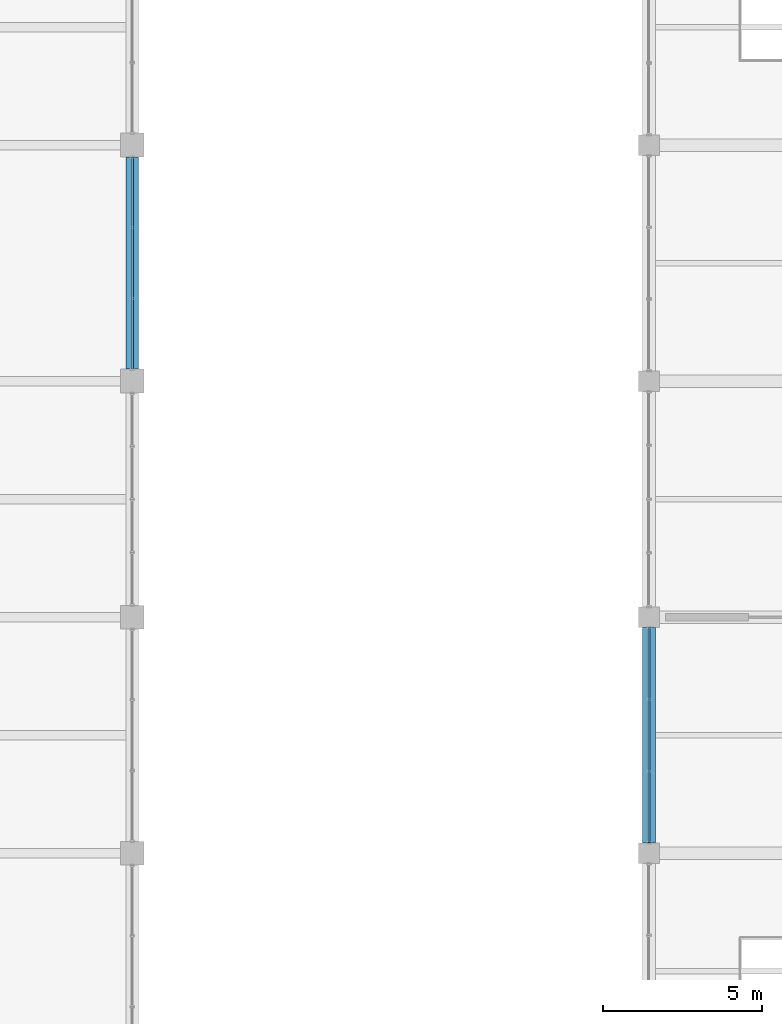
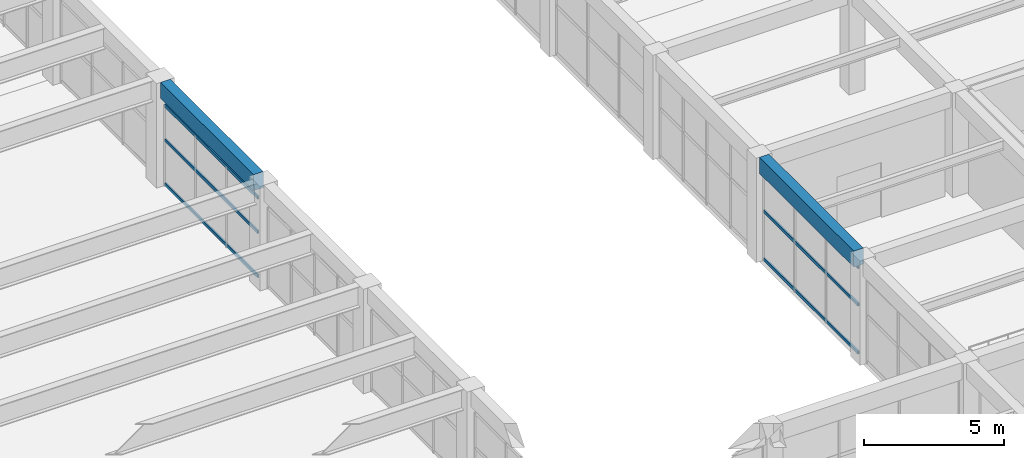
# One storey, part 61 of 161: 6 members, 2 beams, 2 elements without a shape of their own.
"""IFC4 building model written with IfcOpenShell, lengths in metres."""

from ifc_helpers import new_model, si_unit, direction, frame, origin, origin_2d, place, context, subcontext, project, spatial, rectangle, hollow_rectangle, extrude, material, material_profile, profile_set, type_object, element, aggregate, save


model = new_model("IFC4")

# Units and contexts
model_context = context("Model", 3, precision=1e-05, world=origin(), true_north=direction((0.0, 1.0)))
body_context = subcontext(model_context, "Body", "Model", "MODEL_VIEW")
ifc_project = project(units=[si_unit("LENGTHUNIT", "METRE"), si_unit("AREAUNIT", "SQUARE_METRE"), si_unit("VOLUMEUNIT", "CUBIC_METRE"), si_unit("PLANEANGLEUNIT", "RADIAN"), si_unit("MASSUNIT", "GRAM", prefix="KILO")], contexts=[model_context])

# Site, building, storey
site_placement = place(None, origin())
site = spatial("IfcSite", under=ifc_project, at=site_placement, CompositionType="ELEMENT")
building_placement = place(site_placement, origin())
building = spatial("IfcBuilding", under=site, at=building_placement, Name="Cimatlan Art Gallery", CompositionType="ELEMENT")
storey_placement = place(building_placement, frame((0.0, 0.0, 5.39990234375)))
storey = spatial("IfcBuildingStorey", under=building, at=storey_placement, Name="L01", CompositionType="ELEMENT", Elevation=5.39990234375)

# Beams
ifc_material_1 = material(Name="Concrete C40/50", Category="concrete")
ifc_material_profile_1 = material_profile(ifc_material_1, rectangle(XDim=0.39990234375, YDim=0.699951171875, at=origin_2d()), Name="RC400X700")
ifc_profile_set_1 = profile_set([ifc_material_profile_1], Name="Concrete C40/50")
beam_type = type_object("IfcBeamType", Name="BM-RC-400X700", PredefinedType="BEAM", material=ifc_profile_set_1)
beam_1_placement = place(storey_placement, frame((99.199951171875, 61.27490234375, 4.210205078125), z_axis=(0.0, 1.0, 0.0), x_axis=(-1.0, 0.0, 0.0)))
element("IfcBeam", 1, at=beam_1_placement, inside=storey, type_object=beam_type, Name="BM-Y-L01-12-08", PredefinedType="BEAM", context=body_context, shape_type="SweptSolid", body=[
    extrude(rectangle(XDim=0.39990234375, YDim=0.699951171875, at=origin_2d()), origin(), (0.0, 0.0, 1.0), 6.650146484375),
])
beam_2_placement = place(storey_placement, frame((115.39990234375, 46.425048828125, 4.210205078125), z_axis=(0.0, 1.0, 0.0), x_axis=(-1.0, 0.0, 0.0)))
element("IfcBeam", 2, at=beam_2_placement, inside=storey, type_object=beam_type, Name="BM-Y-L01-14-06", PredefinedType="BEAM", context=body_context, shape_type="SweptSolid", body=[
    extrude(rectangle(XDim=0.39990234375, YDim=0.699951171875, at=origin_2d()), origin(), (0.0, 0.0, 1.0), 6.75),
])

# Curtain wall, members
ifc_material_2 = material(Name="Anodised bronze unitised curtain wall")
curtain_wall_type_1 = type_object("IfcCurtainWallType", Name="CW-V-06642X03547-B3", PredefinedType="NOTDEFINED", material=ifc_material_2)
curtain_wall_1_placement = place(storey_placement, origin())
curtain_wall_1 = element("IfcCurtainWall", 3, at=curtain_wall_1_placement, inside=storey, type_object=curtain_wall_type_1, Name="CW-L01-11-08-E", PredefinedType="NOTDEFINED")
ifc_material_3 = material(Name="Anodised bronze aluminium 6063-T6", Category="aluminium")
ifc_material_profile_2 = material_profile(ifc_material_3, hollow_rectangle(XDim=0.06494140625, YDim=0.139892578125, WallThickness=0.00390625, at=origin_2d()), Name="ALU65X140X4")
ifc_profile_set_2 = profile_set([ifc_material_profile_2], Name="Anodised bronze aluminium 6063-T6")
member_type = type_object("IfcMemberType", Name="CW-TRN-140", PredefinedType="USERDEFINED", material=ifc_profile_set_2)
member_1_placement = place(storey_placement, frame((99.199951171875, 67.9208984375, 0.06005859375), z_axis=(0.0, -1.0, 0.0), x_axis=(1.0, 0.0, 0.0)))
member_1 = element("IfcMember", 4, at=member_1_placement, type_object=member_type, Name="CW-L01-11-08-E-T1", ObjectType="TRANSOM", PredefinedType="USERDEFINED", context=body_context, shape_type="SweptSolid", body=[
    extrude(hollow_rectangle(XDim=0.06494140625, YDim=0.139892578125, WallThickness=0.00390625, at=origin_2d()), origin(), (0.0, 0.0, 1.0), 6.641845703125),
])
member_2_placement = place(storey_placement, frame((99.199951171875, 67.9208984375, 1.986328125), z_axis=(0.0, -1.0, 0.0), x_axis=(1.0, 0.0, 0.0)))
member_2 = element("IfcMember", 5, at=member_2_placement, type_object=member_type, Name="CW-L01-11-08-E-T2", ObjectType="TRANSOM", PredefinedType="USERDEFINED", context=body_context, shape_type="SweptSolid", body=[
    extrude(hollow_rectangle(XDim=0.06494140625, YDim=0.139892578125, WallThickness=0.00390625, at=origin_2d()), origin(), (0.0, 0.0, 1.0), 6.641845703125),
])
member_3_placement = place(storey_placement, frame((99.199951171875, 67.9208984375, 3.487060546875), z_axis=(0.0, -1.0, 0.0), x_axis=(1.0, 0.0, 0.0)))
member_3 = element("IfcMember", 6, at=member_3_placement, type_object=member_type, Name="CW-L01-11-08-E-T3", ObjectType="TRANSOM", PredefinedType="USERDEFINED", context=body_context, shape_type="SweptSolid", body=[
    extrude(hollow_rectangle(XDim=0.06494140625, YDim=0.139892578125, WallThickness=0.00390625, at=origin_2d()), origin(), (0.0, 0.0, 1.0), 6.641845703125),
])
aggregate(curtain_wall_1, [member_1, member_2, member_3])

curtain_wall_type_2 = type_object("IfcCurtainWallType", Name="CW-V-06742X03845-B3", PredefinedType="NOTDEFINED", material=ifc_material_2)
curtain_wall_2_placement = place(storey_placement, origin())
curtain_wall_2 = element("IfcCurtainWall", 7, at=curtain_wall_2_placement, inside=storey, type_object=curtain_wall_type_2, Name="CW-L01-14-06-W", PredefinedType="NOTDEFINED")
member_4_placement = place(storey_placement, frame((115.39990234375, 46.428955078125, 0.06005859375), z_axis=(0.0, 1.0, 0.0), x_axis=(-1.0, 0.0, 0.0)))
member_4 = element("IfcMember", 8, at=member_4_placement, type_object=member_type, Name="CW-L01-14-06-W-T1", ObjectType="TRANSOM", PredefinedType="USERDEFINED", context=body_context, shape_type="SweptSolid", body=[
    extrude(hollow_rectangle(XDim=0.06494140625, YDim=0.139892578125, WallThickness=0.00390625, at=origin_2d()), origin(), (0.0, 0.0, 1.0), 6.741943359375),
])
member_5_placement = place(storey_placement, frame((115.39990234375, 46.428955078125, 2.1533203125), z_axis=(0.0, 1.0, 0.0), x_axis=(-1.0, 0.0, 0.0)))
member_5 = element("IfcMember", 9, at=member_5_placement, type_object=member_type, Name="CW-L01-14-06-W-T2", ObjectType="TRANSOM", PredefinedType="USERDEFINED", context=body_context, shape_type="SweptSolid", body=[
    extrude(hollow_rectangle(XDim=0.06494140625, YDim=0.139892578125, WallThickness=0.00390625, at=origin_2d()), origin(), (0.0, 0.0, 1.0), 6.741943359375),
])
member_6_placement = place(storey_placement, frame((115.39990234375, 46.428955078125, 3.78515625), z_axis=(0.0, 1.0, 0.0), x_axis=(-1.0, 0.0, 0.0)))
member_6 = element("IfcMember", 10, at=member_6_placement, type_object=member_type, Name="CW-L01-14-06-W-T3", ObjectType="TRANSOM", PredefinedType="USERDEFINED", context=body_context, shape_type="SweptSolid", body=[
    extrude(hollow_rectangle(XDim=0.06494140625, YDim=0.139892578125, WallThickness=0.00390625, at=origin_2d()), origin(), (0.0, 0.0, 1.0), 6.741943359375),
])
aggregate(curtain_wall_2, [member_4, member_5, member_6])

save(model, "model.ifc")
